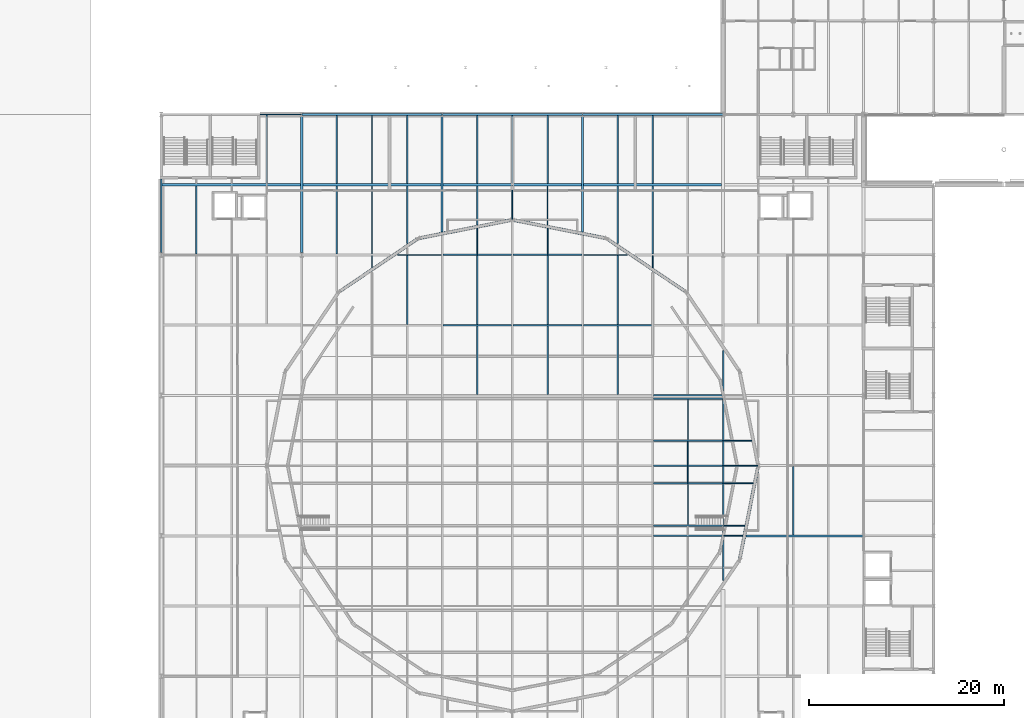
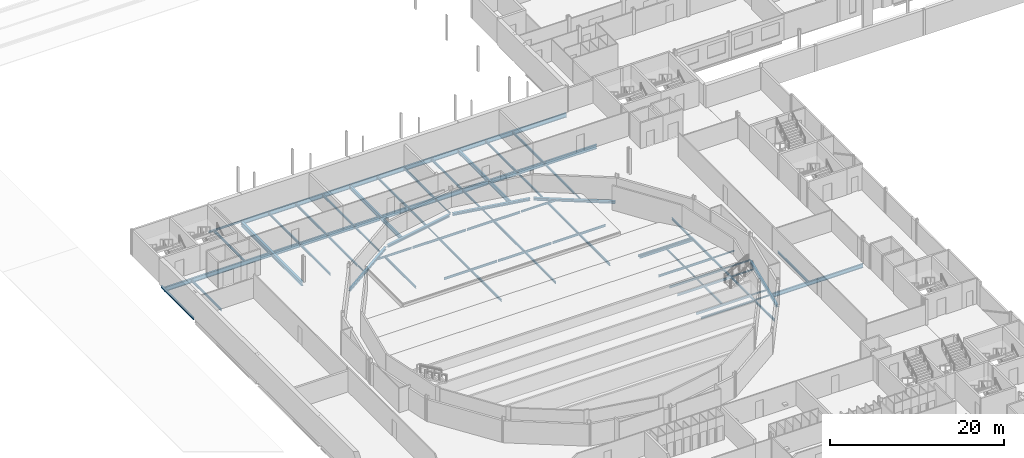
# One storey, part 34 of 90: 72 beams.
"""IFC4 building model written with IfcOpenShell, lengths in metres."""

from ifc_helpers import new_model, si_unit, direction, frame, origin, origin_2d, place, context, subcontext, project, spatial, i_section, extrude, material, material_profile, profile_set, type_object, element, save


model = new_model("IFC4")

# Units and contexts
model_context = context("Model", 3, precision=1e-05, world=origin(), true_north=direction((0.0, 1.0)))
body_context = subcontext(model_context, "Body", "Model", "MODEL_VIEW")
ifc_project = project(units=[si_unit("LENGTHUNIT", "METRE"), si_unit("AREAUNIT", "SQUARE_METRE"), si_unit("VOLUMEUNIT", "CUBIC_METRE"), si_unit("PLANEANGLEUNIT", "RADIAN"), si_unit("MASSUNIT", "GRAM", prefix="KILO")], contexts=[model_context])

# Site, building, storey
site_placement = place(None, origin())
site = spatial("IfcSite", under=ifc_project, at=site_placement, CompositionType="ELEMENT")
building_placement = place(site_placement, origin())
building = spatial("IfcBuilding", under=site, at=building_placement, Name="Kupolbacken Congress Centre", CompositionType="ELEMENT")
storey_placement = place(building_placement, frame((0.0, 0.0, 3.60009765625)))
storey = spatial("IfcBuildingStorey", under=building, at=storey_placement, Name="L01", CompositionType="ELEMENT", Elevation=3.60009765625)

# Beams
ifc_material_1 = material(Name="Steel S355", Category="steel")
ifc_material_profile_1 = material_profile(ifc_material_1, i_section(OverallWidth=0.10009765625, OverallDepth=0.199951171875, WebThickness=0.005615234375, FlangeThickness=0.008544921875, FilletRadius=0.011962890625, at=origin_2d()), Name="IPE 200")
ifc_profile_set_1 = profile_set([ifc_material_profile_1], Name="Steel S355")
beam_type_1 = type_object("IfcBeamType", Name="B01 beam IPE 200", PredefinedType="BEAM", material=ifc_profile_set_1)
beam_1_placement = place(storey_placement, frame((28.800048828125, 106.709228515625, -0.2900390625), z_axis=(0.0, 1.0, 0.0), x_axis=(-1.0, 0.0, 0.0)))
element("IfcBeam", 1, at=beam_1_placement, inside=storey, type_object=beam_type_1, Name="S/floor/P/L01/S105", PredefinedType="BEAM", context=body_context, shape_type="SweptSolid", body=[
    extrude(i_section(OverallWidth=0.10009765625, OverallDepth=0.199951171875, WebThickness=0.005615234375, FlangeThickness=0.008544921875, FilletRadius=0.011962890625, at=origin_2d()), origin(), (0.0, 0.0, 1.0), 1.20068359375),
])
beam_2_placement = place(storey_placement, frame((43.199951171875, 111.606689453125, -0.2900390625), z_axis=(0.0, 1.0, 0.0), x_axis=(-1.0, 0.0, 0.0)))
element("IfcBeam", 2, at=beam_2_placement, inside=storey, type_object=beam_type_1, Name="S/floor/P/L01/S118", PredefinedType="BEAM", context=body_context, shape_type="SweptSolid", body=[
    extrude(i_section(OverallWidth=0.10009765625, OverallDepth=0.199951171875, WebThickness=0.005615234375, FlangeThickness=0.008544921875, FilletRadius=0.011962890625, at=origin_2d()), origin(), (0.0, 0.0, 1.0), 3.4833984375),
])
beam_3_placement = place(storey_placement, frame((57.60009765625, 106.709228515625, -0.2900390625), z_axis=(0.0, 1.0, 0.0), x_axis=(-1.0, 0.0, 0.0)))
element("IfcBeam", 3, at=beam_3_placement, inside=storey, type_object=beam_type_1, Name="S/floor/P/L01/S131", PredefinedType="BEAM", context=body_context, shape_type="SweptSolid", body=[
    extrude(i_section(OverallWidth=0.10009765625, OverallDepth=0.199951171875, WebThickness=0.005615234375, FlangeThickness=0.008544921875, FilletRadius=0.011962890625, at=origin_2d()), origin(), (0.0, 0.0, 1.0), 1.20068359375),
])
beam_4_placement = place(storey_placement, frame((64.875, 79.199951171875, -0.2900390625), z_axis=(1.0, 0.0, 0.0), x_axis=(0.0, 1.0, 0.0)))
element("IfcBeam", 4, at=beam_4_placement, inside=storey, type_object=beam_type_1, Name="S/floor/PL/L01/R025", PredefinedType="BEAM", context=body_context, shape_type="SweptSolid", body=[
    extrude(i_section(OverallWidth=0.10009765625, OverallDepth=0.199951171875, WebThickness=0.005615234375, FlangeThickness=0.008544921875, FilletRadius=0.011962890625, at=origin_2d()), origin(), (0.0, 0.0, 1.0), 1.944580078125),
])
beam_5_placement = place(storey_placement, frame((64.875, 86.39990234375, -0.2900390625), z_axis=(1.0, 0.0, 0.0), x_axis=(0.0, 1.0, 0.0)))
element("IfcBeam", 5, at=beam_5_placement, inside=storey, type_object=beam_type_1, Name="S/floor/PL/L01/R033", PredefinedType="BEAM", context=body_context, shape_type="SweptSolid", body=[
    extrude(i_section(OverallWidth=0.10009765625, OverallDepth=0.199951171875, WebThickness=0.005615234375, FlangeThickness=0.008544921875, FilletRadius=0.011962890625, at=origin_2d()), origin(), (0.0, 0.0, 1.0), 3.518310546875),
])
beam_6_placement = place(storey_placement, frame((64.875, 88.925048828125, -0.2900390625), z_axis=(1.0, 0.0, 0.0), x_axis=(0.0, 1.0, 0.0)))
element("IfcBeam", 6, at=beam_6_placement, inside=storey, type_object=beam_type_1, Name="S/floor/PL/L01/R067", PredefinedType="BEAM", context=body_context, shape_type="SweptSolid", body=[
    extrude(i_section(OverallWidth=0.10009765625, OverallDepth=0.199951171875, WebThickness=0.005615234375, FlangeThickness=0.008544921875, FilletRadius=0.011962890625, at=origin_2d()), origin(), (0.0, 0.0, 1.0), 2.865234375),
])
beam_7_placement = place(storey_placement, frame((64.875, 84.5869140625, -0.2900390625), z_axis=(1.0, 0.0, 0.0), x_axis=(0.0, 1.0, 0.0)))
element("IfcBeam", 7, at=beam_7_placement, inside=storey, type_object=beam_type_1, Name="S/floor/PL/L01/R075", PredefinedType="BEAM", context=body_context, shape_type="SweptSolid", body=[
    extrude(i_section(OverallWidth=0.10009765625, OverallDepth=0.199951171875, WebThickness=0.005615234375, FlangeThickness=0.008544921875, FilletRadius=0.011962890625, at=origin_2d()), origin(), (0.0, 0.0, 1.0), 3.00537109375),
])
beam_8_placement = place(storey_placement, frame((64.875, 80.25, -0.2900390625), z_axis=(1.0, 0.0, 0.0), x_axis=(0.0, 1.0, 0.0)))
element("IfcBeam", 8, at=beam_8_placement, inside=storey, type_object=beam_type_1, Name="S/floor/PL/L01/R083", PredefinedType="BEAM", context=body_context, shape_type="SweptSolid", body=[
    extrude(i_section(OverallWidth=0.10009765625, OverallDepth=0.199951171875, WebThickness=0.005615234375, FlangeThickness=0.008544921875, FilletRadius=0.011962890625, at=origin_2d()), origin(), (0.0, 0.0, 1.0), 2.1513671875),
])
for number, where, z_axis, x_axis, name in (
    (9, (39.60009765625, 108.074951171875, -0.2900390625), (0.0, 1.0, 0.0), (-1.0, 0.0, 0.0), "S/floor/PL/L01/S139"),
    (10, (46.800048828125, 108.074951171875, -0.2900390625), (0.0, 1.0, 0.0), (-1.0, 0.0, 0.0), "S/floor/PL/L01/S152"),
):
    element("IfcBeam", number, at=place(storey_placement, frame(where, z_axis=z_axis, x_axis=x_axis)), inside=storey, type_object=beam_type_1, Name=name, PredefinedType="BEAM", context=body_context, shape_type="SweptSolid", body=[
        extrude(i_section(OverallWidth=0.10009765625, OverallDepth=0.199951171875, WebThickness=0.005615234375, FlangeThickness=0.008544921875, FilletRadius=0.011962890625, at=origin_2d()), origin(), (0.0, 0.0, 1.0), 2.653564453125),
    ])
beam_9_placement = place(storey_placement, frame((61.199951171875, 84.662109375, -0.2900390625), z_axis=(0.0, 1.0, 0.0), x_axis=(-1.0, 0.0, 0.0)))
element("IfcBeam", 11, at=beam_9_placement, inside=storey, type_object=beam_type_1, Name="S/floor/PL/L01/S171", PredefinedType="BEAM", context=body_context, shape_type="SweptSolid", body=[
    extrude(i_section(OverallWidth=0.10009765625, OverallDepth=0.199951171875, WebThickness=0.005615234375, FlangeThickness=0.008544921875, FilletRadius=0.011962890625, at=origin_2d()), origin(), (0.0, 0.0, 1.0), 1.662841796875),
])
beam_10_placement = place(storey_placement, frame((61.199951171875, 86.47509765625, -0.2900390625), z_axis=(0.0, 1.0, 0.0), x_axis=(-1.0, 0.0, 0.0)))
element("IfcBeam", 12, at=beam_10_placement, inside=storey, type_object=beam_type_1, Name="S/floor/PL/L01/S172", PredefinedType="BEAM", context=body_context, shape_type="SweptSolid", body=[
    extrude(i_section(OverallWidth=0.10009765625, OverallDepth=0.199951171875, WebThickness=0.005615234375, FlangeThickness=0.008544921875, FilletRadius=0.011962890625, at=origin_2d()), origin(), (0.0, 0.0, 1.0), 2.375),
])
ifc_material_2 = material(Name="Steel S355", Category="steel")
ifc_material_profile_2 = material_profile(ifc_material_2, i_section(OverallWidth=0.135009765625, OverallDepth=0.27001953125, WebThickness=0.006591796875, FlangeThickness=0.01025390625, FilletRadius=0.014892578125, at=origin_2d()), Name="IPE 270")
ifc_profile_set_2 = profile_set([ifc_material_profile_2], Name="Steel S355")
beam_type_2 = type_object("IfcBeamType", Name="B03 beam IPE 270", PredefinedType="BEAM", material=ifc_profile_set_2)
beam_11_placement = place(storey_placement, frame((17.324951171875, 122.39990234375, -0.3251953125), z_axis=(1.0, 0.0, 0.0), x_axis=(0.0, 1.0, 0.0)))
element("IfcBeam", 13, at=beam_11_placement, inside=storey, type_object=beam_type_2, Name="S/floor/P/L01/R070", PredefinedType="BEAM", context=body_context, shape_type="SweptSolid", body=[
    extrude(i_section(OverallWidth=0.135009765625, OverallDepth=0.27001953125, WebThickness=0.006591796875, FlangeThickness=0.01025390625, FilletRadius=0.014892578125, at=origin_2d()), origin(), (0.0, 0.0, 1.0), 4.26806640625),
])
beam_12_placement = place(storey_placement, frame((32.39990234375, 109.150390625, -0.3251953125), z_axis=(0.0, 1.0, 0.0), x_axis=(-1.0, 0.0, 0.0)))
element("IfcBeam", 14, at=beam_12_placement, inside=storey, type_object=beam_type_2, Name="S/floor/P/L01/S110", PredefinedType="BEAM", context=body_context, shape_type="SweptSolid", body=[
    extrude(i_section(OverallWidth=0.135009765625, OverallDepth=0.27001953125, WebThickness=0.006591796875, FlangeThickness=0.01025390625, FilletRadius=0.014892578125, at=origin_2d()), origin(), (0.0, 0.0, 1.0), 5.939697265625),
])
for number, where, z_axis, x_axis, name in (
    (15, (39.60009765625, 111.057373046875, -0.3251953125), (0.0, 1.0, 0.0), (-1.0, 0.0, 0.0), "S/floor/P/L01/S114"),
    (16, (46.800048828125, 111.057373046875, -0.3251953125), (0.0, 1.0, 0.0), (-1.0, 0.0, 0.0), "S/floor/P/L01/S122"),
):
    element("IfcBeam", number, at=place(storey_placement, frame(where, z_axis=z_axis, x_axis=x_axis)), inside=storey, type_object=beam_type_2, Name=name, PredefinedType="BEAM", context=body_context, shape_type="SweptSolid", body=[
        extrude(i_section(OverallWidth=0.135009765625, OverallDepth=0.27001953125, WebThickness=0.006591796875, FlangeThickness=0.01025390625, FilletRadius=0.014892578125, at=origin_2d()), origin(), (0.0, 0.0, 1.0), 4.03271484375),
    ])
beam_13_placement = place(storey_placement, frame((54.0, 109.150390625, -0.3251953125), z_axis=(0.0, 1.0, 0.0), x_axis=(-1.0, 0.0, 0.0)))
element("IfcBeam", 17, at=beam_13_placement, inside=storey, type_object=beam_type_2, Name="S/floor/P/L01/S126", PredefinedType="BEAM", context=body_context, shape_type="SweptSolid", body=[
    extrude(i_section(OverallWidth=0.135009765625, OverallDepth=0.27001953125, WebThickness=0.006591796875, FlangeThickness=0.01025390625, FilletRadius=0.014892578125, at=origin_2d()), origin(), (0.0, 0.0, 1.0), 5.939697265625),
])
for number, where, z_axis, x_axis, name in (
    (18, (31.399169921875, 108.0, -0.3251953125), (1.0, 0.0, 0.0), (0.0, 1.0, 0.0), "S/floor/PL/L01/R048"),
    (19, (50.47509765625, 108.0, -0.3251953125), (1.0, 0.0, 0.0), (0.0, 1.0, 0.0), "S/floor/PL/L01/R051"),
):
    element("IfcBeam", number, at=place(storey_placement, frame(where, z_axis=z_axis, x_axis=x_axis)), inside=storey, type_object=beam_type_2, Name=name, PredefinedType="BEAM", context=body_context, shape_type="SweptSolid", body=[
        extrude(i_section(OverallWidth=0.135009765625, OverallDepth=0.27001953125, WebThickness=0.006591796875, FlangeThickness=0.01025390625, FilletRadius=0.014892578125, at=origin_2d()), origin(), (0.0, 0.0, 1.0), 4.52587890625),
    ])
for number, where, z_axis, x_axis, name in (
    (20, (61.199951171875, 80.324951171875, -0.3251953125), (0.0, 1.0, 0.0), (-1.0, 0.0, 0.0), "S/floor/PL/L01/S170"),
    (21, (61.199951171875, 89.0, -0.3251953125), (0.0, 1.0, 0.0), (-1.0, 0.0, 0.0), "S/floor/PL/L01/S173"),
):
    element("IfcBeam", number, at=place(storey_placement, frame(where, z_axis=z_axis, x_axis=x_axis)), inside=storey, type_object=beam_type_2, Name=name, PredefinedType="BEAM", context=body_context, shape_type="SweptSolid", body=[
        extrude(i_section(OverallWidth=0.135009765625, OverallDepth=0.27001953125, WebThickness=0.006591796875, FlangeThickness=0.01025390625, FilletRadius=0.014892578125, at=origin_2d()), origin(), (0.0, 0.0, 1.0), 4.18701171875),
    ])
ifc_material_3 = material(Name="Steel S355", Category="steel")
ifc_material_profile_3 = material_profile(ifc_material_3, i_section(OverallWidth=0.14990234375, OverallDepth=0.300048828125, WebThickness=0.007080078125, FlangeThickness=0.0107421875, FilletRadius=0.014892578125, at=origin_2d()), Name="IPE 300")
ifc_profile_set_3 = profile_set([ifc_material_profile_3], Name="Steel S355")
beam_type_3 = type_object("IfcBeamType", Name="B04 beam IPE 300", PredefinedType="BEAM", material=ifc_profile_set_3)
beam_14_placement = place(storey_placement, frame((10.800048828125, 108.110107421875, -0.340087890625), z_axis=(0.0, 1.0, 0.0), x_axis=(-1.0, 0.0, 0.0)))
element("IfcBeam", 22, at=beam_14_placement, inside=storey, type_object=beam_type_3, Name="S/floor/P/L01/S083", PredefinedType="BEAM", context=body_context, shape_type="SweptSolid", body=[
    extrude(i_section(OverallWidth=0.14990234375, OverallDepth=0.300048828125, WebThickness=0.007080078125, FlangeThickness=0.0107421875, FilletRadius=0.014892578125, at=origin_2d()), origin(), (0.0, 0.0, 1.0), 6.97998046875),
])
beam_15_placement = place(storey_placement, frame((25.199951171875, 108.090087890625, -0.340087890625), z_axis=(0.0, 1.0, 0.0), x_axis=(-1.0, 0.0, 0.0)))
element("IfcBeam", 23, at=beam_15_placement, inside=storey, type_object=beam_type_3, Name="S/floor/P/L01/S100", PredefinedType="BEAM", context=body_context, shape_type="SweptSolid", body=[
    extrude(i_section(OverallWidth=0.14990234375, OverallDepth=0.300048828125, WebThickness=0.007080078125, FlangeThickness=0.0107421875, FilletRadius=0.014892578125, at=origin_2d()), origin(), (0.0, 0.0, 1.0), 7.0),
])
beam_16_placement = place(storey_placement, frame((25.199951171875, 115.31005859375, -0.340087890625), z_axis=(0.0, 1.0, 0.0), x_axis=(-1.0, 0.0, 0.0)))
element("IfcBeam", 24, at=beam_16_placement, inside=storey, type_object=beam_type_3, Name="S/floor/P/L01/S101", PredefinedType="BEAM", context=body_context, shape_type="SweptSolid", body=[
    extrude(i_section(OverallWidth=0.14990234375, OverallDepth=0.300048828125, WebThickness=0.007080078125, FlangeThickness=0.0107421875, FilletRadius=0.014892578125, at=origin_2d()), origin(), (0.0, 0.0, 1.0), 6.97998046875),
])
beam_17_placement = place(storey_placement, frame((28.800048828125, 108.090087890625, -0.340087890625), z_axis=(0.0, 1.0, 0.0), x_axis=(-1.0, 0.0, 0.0)))
element("IfcBeam", 25, at=beam_17_placement, inside=storey, type_object=beam_type_3, Name="S/floor/P/L01/S106", PredefinedType="BEAM", context=body_context, shape_type="SweptSolid", body=[
    extrude(i_section(OverallWidth=0.14990234375, OverallDepth=0.300048828125, WebThickness=0.007080078125, FlangeThickness=0.0107421875, FilletRadius=0.014892578125, at=origin_2d()), origin(), (0.0, 0.0, 1.0), 7.0),
])
for number, where, z_axis, x_axis, name in (
    (26, (28.800048828125, 115.31005859375, -0.340087890625), (0.0, 1.0, 0.0), (-1.0, 0.0, 0.0), "S/floor/P/L01/S107"),
    (27, (32.39990234375, 115.31005859375, -0.340087890625), (0.0, 1.0, 0.0), (-1.0, 0.0, 0.0), "S/floor/P/L01/S111"),
    (28, (39.60009765625, 115.31005859375, -0.340087890625), (0.0, 1.0, 0.0), (-1.0, 0.0, 0.0), "S/floor/P/L01/S115"),
    (29, (43.199951171875, 115.31005859375, -0.340087890625), (0.0, 1.0, 0.0), (-1.0, 0.0, 0.0), "S/floor/P/L01/S119"),
    (30, (46.800048828125, 115.31005859375, -0.340087890625), (0.0, 1.0, 0.0), (-1.0, 0.0, 0.0), "S/floor/P/L01/S123"),
    (31, (54.0, 115.31005859375, -0.340087890625), (0.0, 1.0, 0.0), (-1.0, 0.0, 0.0), "S/floor/P/L01/S127"),
):
    element("IfcBeam", number, at=place(storey_placement, frame(where, z_axis=z_axis, x_axis=x_axis)), inside=storey, type_object=beam_type_3, Name=name, PredefinedType="BEAM", context=body_context, shape_type="SweptSolid", body=[
        extrude(i_section(OverallWidth=0.14990234375, OverallDepth=0.300048828125, WebThickness=0.007080078125, FlangeThickness=0.0107421875, FilletRadius=0.014892578125, at=origin_2d()), origin(), (0.0, 0.0, 1.0), 6.97998046875),
    ])
beam_18_placement = place(storey_placement, frame((57.60009765625, 108.090087890625, -0.340087890625), z_axis=(0.0, 1.0, 0.0), x_axis=(-1.0, 0.0, 0.0)))
element("IfcBeam", 32, at=beam_18_placement, inside=storey, type_object=beam_type_3, Name="S/floor/P/L01/S132", PredefinedType="BEAM", context=body_context, shape_type="SweptSolid", body=[
    extrude(i_section(OverallWidth=0.14990234375, OverallDepth=0.300048828125, WebThickness=0.007080078125, FlangeThickness=0.0107421875, FilletRadius=0.014892578125, at=origin_2d()), origin(), (0.0, 0.0, 1.0), 7.0),
])
beam_19_placement = place(storey_placement, frame((57.60009765625, 115.31005859375, -0.340087890625), z_axis=(0.0, 1.0, 0.0), x_axis=(-1.0, 0.0, 0.0)))
element("IfcBeam", 33, at=beam_19_placement, inside=storey, type_object=beam_type_3, Name="S/floor/P/L01/S133", PredefinedType="BEAM", context=body_context, shape_type="SweptSolid", body=[
    extrude(i_section(OverallWidth=0.14990234375, OverallDepth=0.300048828125, WebThickness=0.007080078125, FlangeThickness=0.0107421875, FilletRadius=0.014892578125, at=origin_2d()), origin(), (0.0, 0.0, 1.0), 6.97998046875),
])
beam_20_placement = place(storey_placement, frame((72.0, 79.304931640625, -0.340087890625), z_axis=(0.0, 1.0, 0.0), x_axis=(-1.0, 0.0, 0.0)))
element("IfcBeam", 34, at=beam_20_placement, inside=storey, type_object=beam_type_3, Name="S/floor/P/L01/S144", PredefinedType="BEAM", context=body_context, shape_type="SweptSolid", body=[
    extrude(i_section(OverallWidth=0.14990234375, OverallDepth=0.300048828125, WebThickness=0.007080078125, FlangeThickness=0.0107421875, FilletRadius=0.014892578125, at=origin_2d()), origin(), (0.0, 0.0, 1.0), 7.0),
])
beam_21_placement = place(storey_placement, frame((18.0, 115.31005859375, -0.340087890625), z_axis=(0.0, 1.0, 0.0), x_axis=(-1.0, 0.0, 0.0)))
element("IfcBeam", 35, at=beam_21_placement, inside=storey, type_object=beam_type_3, Name="S/floor/P/L01/S172", PredefinedType="BEAM", context=body_context, shape_type="SweptSolid", body=[
    extrude(i_section(OverallWidth=0.14990234375, OverallDepth=0.300048828125, WebThickness=0.007080078125, FlangeThickness=0.0107421875, FilletRadius=0.014892578125, at=origin_2d()), origin(), (0.0, 0.0, 1.0), 7.0224609375),
])
beam_22_placement = place(storey_placement, frame((64.800048828125, 74.610107421875, -0.340087890625), z_axis=(0.0, 1.0, 0.0), x_axis=(-1.0, 0.0, 0.0)))
element("IfcBeam", 36, at=beam_22_placement, inside=storey, type_object=beam_type_3, Name="S/floor/PL/L01/G007", PredefinedType="BEAM", context=body_context, shape_type="SweptSolid", body=[
    extrude(i_section(OverallWidth=0.14990234375, OverallDepth=0.300048828125, WebThickness=0.007080078125, FlangeThickness=0.0107421875, FilletRadius=0.014892578125, at=origin_2d()), origin(), (0.0, 0.0, 1.0), 23.57958984375),
])
for number, where, z_axis, x_axis, name in (
    (37, (57.675048828125, 79.199951171875, -0.340087890625), (1.0, 0.0, 0.0), (0.0, 1.0, 0.0), "S/floor/PL/L01/R024"),
    (38, (57.675048828125, 86.39990234375, -0.340087890625), (1.0, 0.0, 0.0), (0.0, 1.0, 0.0), "S/floor/PL/L01/R032"),
    (39, (57.675048828125, 93.60009765625, -0.340087890625), (1.0, 0.0, 0.0), (0.0, 1.0, 0.0), "S/floor/PL/L01/R040"),
    (40, (36.074951171875, 100.800048828125, -0.340087890625), (1.0, 0.0, 0.0), (0.0, 1.0, 0.0), "S/floor/PL/L01/R044"),
    (41, (43.27490234375, 100.800048828125, -0.340087890625), (1.0, 0.0, 0.0), (0.0, 1.0, 0.0), "S/floor/PL/L01/R045"),
):
    element("IfcBeam", number, at=place(storey_placement, frame(where, z_axis=z_axis, x_axis=x_axis)), inside=storey, type_object=beam_type_3, Name=name, PredefinedType="BEAM", context=body_context, shape_type="SweptSolid", body=[
        extrude(i_section(OverallWidth=0.14990234375, OverallDepth=0.300048828125, WebThickness=0.007080078125, FlangeThickness=0.0107421875, FilletRadius=0.014892578125, at=origin_2d()), origin(), (0.0, 0.0, 1.0), 7.050048828125),
    ])
beam_23_placement = place(storey_placement, frame((50.47509765625, 100.800048828125, -0.340087890625), z_axis=(1.0, 0.0, 0.0), x_axis=(0.0, 1.0, 0.0)))
element("IfcBeam", 42, at=beam_23_placement, inside=storey, type_object=beam_type_3, Name="S/floor/PL/L01/R046", PredefinedType="BEAM", context=body_context, shape_type="SweptSolid", body=[
    extrude(i_section(OverallWidth=0.14990234375, OverallDepth=0.300048828125, WebThickness=0.007080078125, FlangeThickness=0.0107421875, FilletRadius=0.014892578125, at=origin_2d()), origin(), (0.0, 0.0, 1.0), 7.0498046875),
])
for number, where, z_axis, x_axis, name in (
    (43, (36.074951171875, 108.0, -0.340087890625), (1.0, 0.0, 0.0), (0.0, 1.0, 0.0), "S/floor/PL/L01/R049"),
    (44, (43.27490234375, 108.0, -0.340087890625), (1.0, 0.0, 0.0), (0.0, 1.0, 0.0), "S/floor/PL/L01/R050"),
    (45, (57.675048828125, 93.261962890625, -0.340087890625), (1.0, 0.0, 0.0), (0.0, 1.0, 0.0), "S/floor/PL/L01/R058"),
    (46, (57.675048828125, 88.925048828125, -0.340087890625), (1.0, 0.0, 0.0), (0.0, 1.0, 0.0), "S/floor/PL/L01/R066"),
    (47, (57.675048828125, 84.5869140625, -0.340087890625), (1.0, 0.0, 0.0), (0.0, 1.0, 0.0), "S/floor/PL/L01/R074"),
    (48, (57.675048828125, 80.25, -0.340087890625), (1.0, 0.0, 0.0), (0.0, 1.0, 0.0), "S/floor/PL/L01/R082"),
):
    element("IfcBeam", number, at=place(storey_placement, frame(where, z_axis=z_axis, x_axis=x_axis)), inside=storey, type_object=beam_type_3, Name=name, PredefinedType="BEAM", context=body_context, shape_type="SweptSolid", body=[
        extrude(i_section(OverallWidth=0.14990234375, OverallDepth=0.300048828125, WebThickness=0.007080078125, FlangeThickness=0.0107421875, FilletRadius=0.014892578125, at=origin_2d()), origin(), (0.0, 0.0, 1.0), 7.050048828125),
    ])
beam_24_placement = place(storey_placement, frame((32.39990234375, 100.875, -0.340087890625), z_axis=(0.0, 1.0, 0.0), x_axis=(-1.0, 0.0, 0.0)))
element("IfcBeam", 49, at=beam_24_placement, inside=storey, type_object=beam_type_3, Name="S/floor/PL/L01/S125", PredefinedType="BEAM", context=body_context, shape_type="SweptSolid", body=[
    extrude(i_section(OverallWidth=0.14990234375, OverallDepth=0.300048828125, WebThickness=0.007080078125, FlangeThickness=0.0107421875, FilletRadius=0.014892578125, at=origin_2d()), origin(), (0.0, 0.0, 1.0), 7.0576171875),
])
for number, where, z_axis, x_axis, name in (
    (50, (39.60009765625, 93.675048828125, -0.340087890625), (0.0, 1.0, 0.0), (-1.0, 0.0, 0.0), "S/floor/PL/L01/S137"),
    (51, (39.60009765625, 100.875, -0.340087890625), (0.0, 1.0, 0.0), (-1.0, 0.0, 0.0), "S/floor/PL/L01/S138"),
    (52, (46.800048828125, 93.675048828125, -0.340087890625), (0.0, 1.0, 0.0), (-1.0, 0.0, 0.0), "S/floor/PL/L01/S150"),
    (53, (46.800048828125, 100.875, -0.340087890625), (0.0, 1.0, 0.0), (-1.0, 0.0, 0.0), "S/floor/PL/L01/S151"),
    (54, (54.0, 93.675048828125, -0.340087890625), (0.0, 1.0, 0.0), (-1.0, 0.0, 0.0), "S/floor/PL/L01/S163"),
):
    element("IfcBeam", number, at=place(storey_placement, frame(where, z_axis=z_axis, x_axis=x_axis)), inside=storey, type_object=beam_type_3, Name=name, PredefinedType="BEAM", context=body_context, shape_type="SweptSolid", body=[
        extrude(i_section(OverallWidth=0.14990234375, OverallDepth=0.300048828125, WebThickness=0.007080078125, FlangeThickness=0.0107421875, FilletRadius=0.014892578125, at=origin_2d()), origin(), (0.0, 0.0, 1.0), 7.050048828125),
    ])
beam_25_placement = place(storey_placement, frame((54.0, 100.875, -0.340087890625), z_axis=(0.0, 1.0, 0.0), x_axis=(-1.0, 0.0, 0.0)))
element("IfcBeam", 55, at=beam_25_placement, inside=storey, type_object=beam_type_3, Name="S/floor/PL/L01/S164", PredefinedType="BEAM", context=body_context, shape_type="SweptSolid", body=[
    extrude(i_section(OverallWidth=0.14990234375, OverallDepth=0.300048828125, WebThickness=0.007080078125, FlangeThickness=0.0107421875, FilletRadius=0.014892578125, at=origin_2d()), origin(), (0.0, 0.0, 1.0), 7.0576171875),
])
ifc_material_4 = material(Name="Steel S355", Category="steel")
ifc_material_profile_4 = material_profile(ifc_material_4, i_section(OverallWidth=0.159912109375, OverallDepth=0.330078125, WebThickness=0.007568359375, FlangeThickness=0.011474609375, FilletRadius=0.01806640625, at=origin_2d()), Name="IPE 330")
ifc_profile_set_4 = profile_set([ifc_material_profile_4], Name="Steel S355")
beam_type_4 = type_object("IfcBeamType", Name="B05 beam IPE 330", PredefinedType="BEAM", material=ifc_profile_set_4)
beam_26_placement = place(storey_placement, frame((7.199951171875, 108.22509765625, -0.35498046875), z_axis=(0.0, 1.0, 0.0), x_axis=(-1.0, 0.0, 0.0)))
element("IfcBeam", 56, at=beam_26_placement, inside=storey, type_object=beam_type_4, Name="S/floor/P/L01/G021", PredefinedType="BEAM", context=body_context, shape_type="SweptSolid", body=[
    extrude(i_section(OverallWidth=0.159912109375, OverallDepth=0.330078125, WebThickness=0.007568359375, FlangeThickness=0.011474609375, FilletRadius=0.01806640625, at=origin_2d()), origin(), (0.0, 0.0, 1.0), 7.5498046875),
])
ifc_material_5 = material(Name="Steel S355", Category="steel")
ifc_material_profile_5 = material_profile(ifc_material_5, i_section(OverallWidth=0.2099609375, OverallDepth=0.550048828125, WebThickness=0.010986328125, FlangeThickness=0.01708984375, FilletRadius=0.02392578125, at=origin_2d()), Name="IPE 550")
ifc_profile_set_5 = profile_set([ifc_material_profile_5], Name="Steel S355")
beam_type_5 = type_object("IfcBeamType", Name="B10 beam IPE 550", PredefinedType="BEAM", material=ifc_profile_set_5)
for number, where, z_axis, x_axis, name in (
    (57, (36.0, 110.35595703125, -0.465087890625), (0.0, 1.0, 0.0), (-1.0, 0.0, 0.0), "S/floor/P/L01/G026"),
    (58, (50.39990234375, 110.35595703125, -0.465087890625), (0.0, 1.0, 0.0), (-1.0, 0.0, 0.0), "S/floor/P/L01/G028"),
):
    element("IfcBeam", number, at=place(storey_placement, frame(where, z_axis=z_axis, x_axis=x_axis)), inside=storey, type_object=beam_type_5, Name=name, PredefinedType="BEAM", context=body_context, shape_type="SweptSolid", body=[
        extrude(i_section(OverallWidth=0.2099609375, OverallDepth=0.550048828125, WebThickness=0.010986328125, FlangeThickness=0.01708984375, FilletRadius=0.02392578125, at=origin_2d()), origin(), (0.0, 0.0, 1.0), 11.819091796875),
    ])
beam_27_placement = place(storey_placement, frame((67.156005859375, 79.199951171875, -0.465087890625), z_axis=(1.0, 0.0, 0.0), x_axis=(0.0, 1.0, 0.0)))
element("IfcBeam", 59, at=beam_27_placement, inside=storey, type_object=beam_type_5, Name="S/floor/P/L01/R052", PredefinedType="BEAM", context=body_context, shape_type="SweptSolid", body=[
    extrude(i_section(OverallWidth=0.2099609375, OverallDepth=0.550048828125, WebThickness=0.010986328125, FlangeThickness=0.01708984375, FilletRadius=0.02392578125, at=origin_2d()), origin(), (0.0, 0.0, 1.0), 12.037109375),
])
ifc_material_6 = material(Name="Steel S355", Category="steel")
ifc_material_profile_6 = material_profile(ifc_material_6, i_section(OverallWidth=0.219970703125, OverallDepth=0.60009765625, WebThickness=0.011962890625, FlangeThickness=0.01904296875, FilletRadius=0.02392578125, at=origin_2d()), Name="IPE 600")
ifc_profile_set_6 = profile_set([ifc_material_profile_6], Name="Steel S355")
beam_type_6 = type_object("IfcBeamType", Name="B11 beam IPE 600", PredefinedType="BEAM", material=ifc_profile_set_6)
beam_28_placement = place(storey_placement, frame((7.280029296875, 115.199951171875, -0.489990234375), z_axis=(1.0, 0.0, 0.0), x_axis=(0.0, 1.0, 0.0)))
element("IfcBeam", 60, at=beam_28_placement, inside=storey, type_object=beam_type_6, Name="S/floor/P/L01/R065", PredefinedType="BEAM", context=body_context, shape_type="SweptSolid", body=[
    extrude(i_section(OverallWidth=0.219970703125, OverallDepth=0.60009765625, WebThickness=0.011962890625, FlangeThickness=0.01904296875, FilletRadius=0.02392578125, at=origin_2d()), origin(), (0.0, 0.0, 1.0), 14.169921875),
])
beam_29_placement = place(storey_placement, frame((21.75, 115.199951171875, -0.489990234375), z_axis=(1.0, 0.0, 0.0), x_axis=(0.0, 1.0, 0.0)))
element("IfcBeam", 61, at=beam_29_placement, inside=storey, type_object=beam_type_6, Name="S/floor/P/L01/R066", PredefinedType="BEAM", context=body_context, shape_type="SweptSolid", body=[
    extrude(i_section(OverallWidth=0.219970703125, OverallDepth=0.60009765625, WebThickness=0.011962890625, FlangeThickness=0.01904296875, FilletRadius=0.02392578125, at=origin_2d()), origin(), (0.0, 0.0, 1.0), 14.14501953125),
])
beam_30_placement = place(storey_placement, frame((36.10498046875, 115.199951171875, -0.489990234375), z_axis=(1.0, 0.0, 0.0), x_axis=(0.0, 1.0, 0.0)))
element("IfcBeam", 62, at=beam_30_placement, inside=storey, type_object=beam_type_6, Name="S/floor/P/L01/R067", PredefinedType="BEAM", context=body_context, shape_type="SweptSolid", body=[
    extrude(i_section(OverallWidth=0.219970703125, OverallDepth=0.60009765625, WebThickness=0.011962890625, FlangeThickness=0.01904296875, FilletRadius=0.02392578125, at=origin_2d()), origin(), (0.0, 0.0, 1.0), 14.18994140625),
])
beam_31_placement = place(storey_placement, frame((50.5048828125, 115.199951171875, -0.489990234375), z_axis=(1.0, 0.0, 0.0), x_axis=(0.0, 1.0, 0.0)))
element("IfcBeam", 63, at=beam_31_placement, inside=storey, type_object=beam_type_6, Name="S/floor/P/L01/R068", PredefinedType="BEAM", context=body_context, shape_type="SweptSolid", body=[
    extrude(i_section(OverallWidth=0.219970703125, OverallDepth=0.60009765625, WebThickness=0.011962890625, FlangeThickness=0.01904296875, FilletRadius=0.02392578125, at=origin_2d()), origin(), (0.0, 0.0, 1.0), 14.14501953125),
])
for number, where, z_axis, x_axis, name in (
    (64, (21.60693359375, 122.39990234375, -0.489990234375), (1.0, 0.0, 0.0), (0.0, 1.0, 0.0), "S/floor/P/L01/R071"),
    (65, (36.007080078125, 122.39990234375, -0.489990234375), (1.0, 0.0, 0.0), (0.0, 1.0, 0.0), "S/floor/P/L01/R072"),
    (66, (50.406982421875, 122.39990234375, -0.489990234375), (1.0, 0.0, 0.0), (0.0, 1.0, 0.0), "S/floor/P/L01/R073"),
):
    element("IfcBeam", number, at=place(storey_placement, frame(where, z_axis=z_axis, x_axis=x_axis)), inside=storey, type_object=beam_type_6, Name=name, PredefinedType="BEAM", context=body_context, shape_type="SweptSolid", body=[
        extrude(i_section(OverallWidth=0.219970703125, OverallDepth=0.60009765625, WebThickness=0.011962890625, FlangeThickness=0.01904296875, FilletRadius=0.02392578125, at=origin_2d()), origin(), (0.0, 0.0, 1.0), 14.385986328125),
    ])
ifc_material_7 = material(Name="Steel S355", Category="steel")
ifc_material_profile_7 = material_profile(ifc_material_7, i_section(OverallWidth=0.300048828125, OverallDepth=0.35009765625, WebThickness=0.010009765625, FlangeThickness=0.017578125, FilletRadius=0.027099609375, at=origin_2d()), Name="HEA 360")
ifc_profile_set_7 = profile_set([ifc_material_profile_7], Name="Steel S355")
beam_type_7 = type_object("IfcBeamType", Name="B13 beam HEA 360", PredefinedType="BEAM", material=ifc_profile_set_7)
beam_32_placement = place(storey_placement, frame((60.8310546875, 104.31396484375, -0.364990234375), z_axis=(-0.828896422049, 0.559402110752, 0.0), x_axis=(-0.559402110752, -0.828896422049, 0.0)))
element("IfcBeam", 67, at=beam_32_placement, inside=storey, type_object=beam_type_7, Name="S/floor/P/L01/C003", PredefinedType="BEAM", context=body_context, shape_type="SweptSolid", body=[
    extrude(i_section(OverallWidth=0.300048828125, OverallDepth=0.35009765625, WebThickness=0.010009765625, FlangeThickness=0.017578125, FilletRadius=0.027099609375, at=origin_2d()), origin(), (0.0, 0.0, 1.0), 9.42431640625),
])
beam_33_placement = place(storey_placement, frame((52.64990234375, 109.739501953125, -0.364990234375), z_axis=(-0.981166868204, 0.193162047876, 0.0), x_axis=(-0.193162047876, -0.981166868204, 0.0)))
element("IfcBeam", 68, at=beam_33_placement, inside=storey, type_object=beam_type_7, Name="S/floor/P/L01/C004", PredefinedType="BEAM", context=body_context, shape_type="SweptSolid", body=[
    extrude(i_section(OverallWidth=0.300048828125, OverallDepth=0.35009765625, WebThickness=0.010009765625, FlangeThickness=0.017578125, FilletRadius=0.027099609375, at=origin_2d()), origin(), (0.0, 0.0, 1.0), 9.427490234375),
])
beam_34_placement = place(storey_placement, frame((43.0, 111.560546875, -0.364990234375), z_axis=(-0.981165901927, -0.193166956013, 0.0), x_axis=(0.193166956013, -0.981165901927, 0.0)))
element("IfcBeam", 69, at=beam_34_placement, inside=storey, type_object=beam_type_7, Name="S/floor/P/L01/C005", PredefinedType="BEAM", context=body_context, shape_type="SweptSolid", body=[
    extrude(i_section(OverallWidth=0.300048828125, OverallDepth=0.35009765625, WebThickness=0.010009765625, FlangeThickness=0.017578125, FilletRadius=0.027099609375, at=origin_2d()), origin(), (0.0, 0.0, 1.0), 9.42724609375),
])
beam_35_placement = place(storey_placement, frame((33.380859375, 109.5859375, -0.364990234375), z_axis=(-0.828904528397, -0.55939009895, 0.0), x_axis=(0.55939009895, -0.828904528397, 0.0)))
element("IfcBeam", 70, at=beam_35_placement, inside=storey, type_object=beam_type_7, Name="S/floor/P/L01/C006", PredefinedType="BEAM", context=body_context, shape_type="SweptSolid", body=[
    extrude(i_section(OverallWidth=0.300048828125, OverallDepth=0.35009765625, WebThickness=0.010009765625, FlangeThickness=0.017578125, FilletRadius=0.027099609375, at=origin_2d()), origin(), (0.0, 0.0, 1.0), 9.424560546875),
])
beam_36_placement = place(storey_placement, frame((66.539306640625, 76.9501953125, -0.364990234375), z_axis=(0.193191886678, 0.981160993376, 0.0), x_axis=(-0.981160993376, 0.193191886678, 0.0)))
element("IfcBeam", 71, at=beam_36_placement, inside=storey, type_object=beam_type_7, Name="S/floor/P/L01/C016", PredefinedType="BEAM", context=body_context, shape_type="SweptSolid", body=[
    extrude(i_section(OverallWidth=0.300048828125, OverallDepth=0.35009765625, WebThickness=0.010009765625, FlangeThickness=0.017578125, FilletRadius=0.027099609375, at=origin_2d()), origin(), (0.0, 0.0, 1.0), 9.42724609375),
])
ifc_material_8 = material(Name="Steel S355", Category="steel")
ifc_material_profile_8 = material_profile(ifc_material_8, i_section(OverallWidth=0.300048828125, OverallDepth=0.60009765625, WebThickness=0.015380859375, FlangeThickness=0.030029296875, FilletRadius=0.027099609375, at=origin_2d()), Name="HEB 600")
ifc_profile_set_8 = profile_set([ifc_material_profile_8], Name="Steel S355")
beam_type_8 = type_object("IfcBeamType", Name="B15 beam HEB 600", PredefinedType="BEAM", material=ifc_profile_set_8)
beam_37_placement = place(storey_placement, frame((21.60009765625, 108.22509765625, -0.489990234375), z_axis=(0.0, 1.0, 0.0), x_axis=(-1.0, 0.0, 0.0)))
element("IfcBeam", 72, at=beam_37_placement, inside=storey, type_object=beam_type_8, Name="S/floor/P/L01/G024", PredefinedType="BEAM", context=body_context, shape_type="SweptSolid", body=[
    extrude(i_section(OverallWidth=0.300048828125, OverallDepth=0.60009765625, WebThickness=0.015380859375, FlangeThickness=0.030029296875, FilletRadius=0.027099609375, at=origin_2d()), origin(), (0.0, 0.0, 1.0), 13.949951171875),
])

save(model, "model.ifc")
